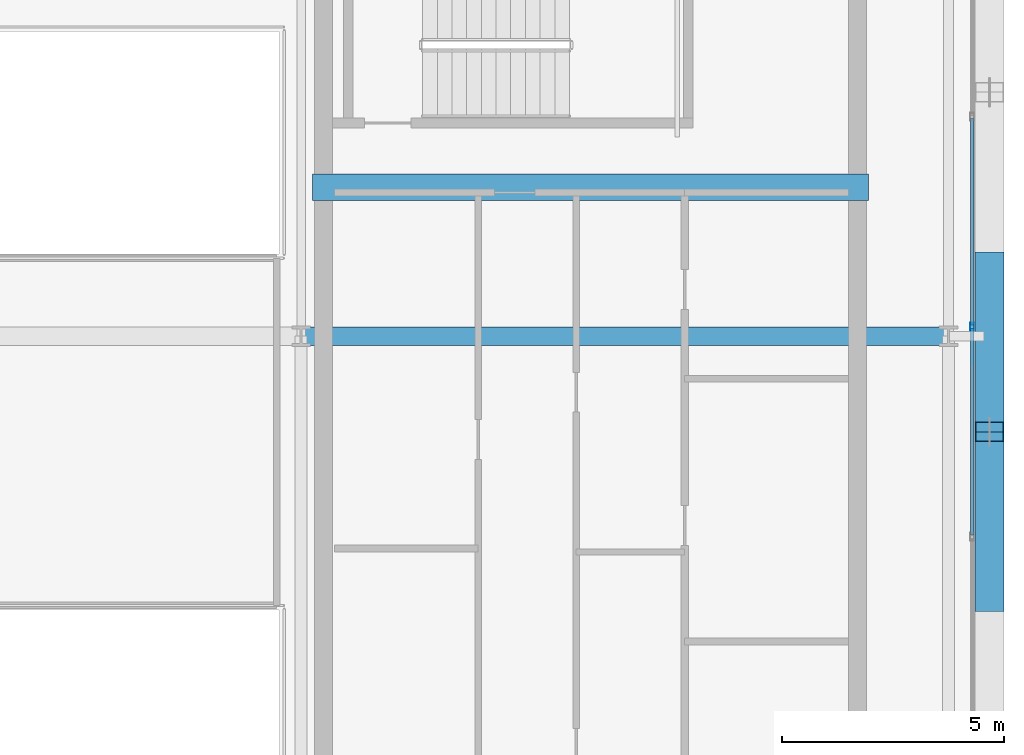
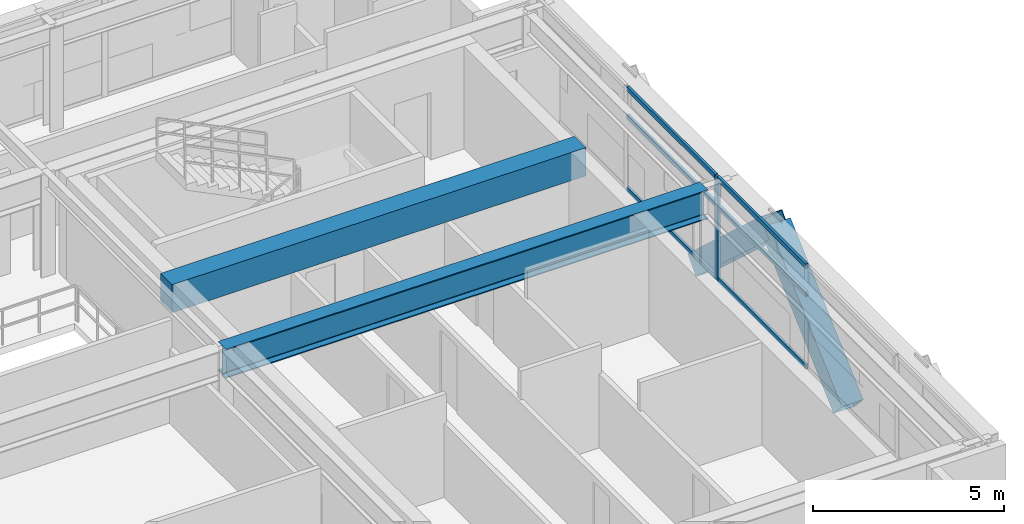
# One storey, part 12 of 28: 9 members, 2 beams, 1 element without a shape of its own.
"""IFC4 building model written with IfcOpenShell, lengths in metres."""

from ifc_helpers import new_model, si_unit, direction, frame, origin, origin_2d, place, context, subcontext, project, spatial, rectangle, hollow_rectangle, i_section, extrude, source, transform, mapped, material, layer, layer_set, material_profile, profile_set, type_object, element, aggregate, save


model = new_model("IFC4")

# Units and contexts
model_context = context("Model", 3, precision=1e-05, world=origin(), true_north=direction((0.0, 1.0)))
body_context = subcontext(model_context, "Body", "Model", "MODEL_VIEW")
ifc_project = project(units=[si_unit("LENGTHUNIT", "METRE"), si_unit("AREAUNIT", "SQUARE_METRE"), si_unit("VOLUMEUNIT", "CUBIC_METRE"), si_unit("PLANEANGLEUNIT", "RADIAN"), si_unit("MASSUNIT", "GRAM", prefix="KILO")], contexts=[model_context])

# Site, building, storey
site_placement = place(None, origin())
site = spatial("IfcSite", under=ifc_project, at=site_placement, CompositionType="ELEMENT")
building_placement = place(site_placement, origin())
building = spatial("IfcBuilding", under=site, at=building_placement, Name="Ocotamira Hotel", CompositionType="ELEMENT")
storey_placement = place(building_placement, frame((0.0, 0.0, 243.60009765625)))
storey = spatial("IfcBuildingStorey", under=building, at=storey_placement, Name="L61", CompositionType="ELEMENT", Elevation=243.60009765625)

# Beams
ifc_material_1 = material(Name="Concrete C50/60", Category="concrete")
ifc_material_profile_1 = material_profile(ifc_material_1, rectangle(XDim=0.60009765625, YDim=0.89990234375, at=origin_2d()), Name="RC600X900")
ifc_profile_set_1 = profile_set([ifc_material_profile_1], Name="Concrete C50/60")
beam_type_1 = type_object("IfcBeamType", Name="BM-LINK-RC600", PredefinedType="LINTEL", material=ifc_profile_set_1)
shared_shape_1 = source(origin(), body_context, "Body", "SweptSolid", [
    extrude(rectangle(XDim=0.60009765625, YDim=0.89990234375, at=origin_2d()), origin(), (0.0, 0.0, 1.0), 12.5),
])
beam_1_placement = place(storey_placement, frame((40.75, 31.5, 2.829833984375), z_axis=(1.0, 0.0, 0.0), x_axis=(0.0, 1.0, 0.0)))
element("IfcBeam", 1, at=beam_1_placement, inside=storey, type_object=beam_type_1, Name="L61 East Core Coupling Beam", PredefinedType="LINTEL", context=body_context, shape_type="MappedRepresentation", body=[
    mapped(shared_shape_1, transform((0.0, 0.0, 0.0), scale=1.0)),
])
ifc_material_2 = material(Name="Steel ASTM A992 Grade 50", Category="steel")
ifc_material_profile_2 = material_profile(ifc_material_2, i_section(OverallWidth=0.41796875, OverallDepth=0.927001953125, WebThickness=0.019287109375, FlangeThickness=0.031982421875, FilletRadius=0.02392578125, at=origin_2d()), Name="W36X231")
ifc_profile_set_2 = profile_set([ifc_material_profile_2], Name="Steel ASTM A992 Grade 50")
beam_type_2 = type_object("IfcBeamType", Name="BM-GIRD-W36X231", PredefinedType="BEAM", material=ifc_profile_set_2)
shared_shape_2 = source(origin(), body_context, "Body", "SweptSolid", [
    extrude(i_section(OverallWidth=0.41796875, OverallDepth=0.927001953125, WebThickness=0.019287109375, FlangeThickness=0.031982421875, FilletRadius=0.02392578125, at=origin_2d()), origin(), (0.0, 0.0, 1.0), 14.550048828125),
])
beam_2_placement = place(storey_placement, frame((40.5, 28.14990234375, 2.81640625), z_axis=(1.0, 0.0, 0.0), x_axis=(0.0, 1.0, 0.0)))
element("IfcBeam", 2, at=beam_2_placement, inside=storey, type_object=beam_type_2, Name="L61 Girder Y28.15 X40.5-55.05", PredefinedType="BEAM", context=body_context, shape_type="MappedRepresentation", body=[
    mapped(shared_shape_2, transform((0.0, 0.0, 0.0), scale=1.0)),
])

# Members
ifc_material_3 = material(Name="Pale-metal coated steel ASTM A913 Grade 65", Category="steel")
ifc_material_profile_3 = material_profile(ifc_material_3, hollow_rectangle(XDim=0.64990234375, YDim=0.64990234375, WallThickness=0.02197265625, at=origin_2d()), Name="BOX650X650X22")
ifc_profile_set_3 = profile_set([ifc_material_profile_3], Name="Pale-metal coated steel ASTM A913 Grade 65")
member_type_1 = type_object("IfcMemberType", Name="MEM-EXO-BOX650", PredefinedType="BRACE", material=ifc_profile_set_3)
shared_shape_3 = source(origin(), body_context, "Body", "SweptSolid", [
    extrude(hollow_rectangle(XDim=0.64990234375, YDim=0.64990234375, WallThickness=0.02197265625, at=origin_2d()), origin(), (0.0, 0.0, 1.0), 5.178466796875),
])
for number, where, z_axis, x_axis, name in (
    (3, (55.969970703125, 22.183349609375, -0.47021484375), (0.0, 0.737019094846, 0.675871921174), (-1.0, 0.0, 0.0), "L61 Exoskeleton Diagrid E1.1"),
    (4, (55.969970703125, 29.816650390625, -0.47021484375), (0.0, -0.737019094846, 0.675871921174), (1.0, 0.0, 0.0), "L61 Exoskeleton Diagrid E1.2"),
):
    element("IfcMember", number, at=place(storey_placement, frame(where, z_axis=z_axis, x_axis=x_axis)), inside=storey, type_object=member_type_1, Name=name, PredefinedType="BRACE", context=body_context, shape_type="MappedRepresentation", body=[
        mapped(shared_shape_3, transform((0.0, 0.0, 0.0), scale=1.0)),
    ])

# Curtain wall, members
ifc_material_4 = material(Name="Anodised pale-metal aluminium and solar glass", Category="aluminium")
ifc_layer = layer(ifc_material_4, 0.239990234375)
ifc_layer_set = layer_set([ifc_layer], Name="Anodised pale-metal aluminium and solar glass")
curtain_wall_type = type_object("IfcCurtainWallType", Name="CW-SYS5-SKY", PredefinedType="NOTDEFINED", material=ifc_layer_set)
curtain_wall_placement = place(storey_placement, origin())
curtain_wall = element("IfcCurtainWall", 5, at=curtain_wall_placement, inside=storey, type_object=curtain_wall_type, Name="L61 Curtain Wall CW-5 CW-L61-E", PredefinedType="NOTDEFINED")
ifc_material_5 = material(Name="Anodised pale-metal aluminium 6063-T6", Category="aluminium")
ifc_material_profile_4 = material_profile(ifc_material_5, hollow_rectangle(XDim=0.080078125, YDim=0.179931640625, WallThickness=0.006103515625, at=origin_2d()), Name="HSS180X80X6")
ifc_profile_set_4 = profile_set([ifc_material_profile_4], Name="Anodised pale-metal aluminium 6063-T6")
member_type_2 = type_object("IfcMemberType", Name="CWM-180X75", PredefinedType="MULLION", material=ifc_profile_set_4)
shared_shape_4 = source(origin(), body_context, "Body", "SweptSolid", [
    extrude(hollow_rectangle(XDim=0.080078125, YDim=0.179931640625, WallThickness=0.006103515625, at=origin_2d()), origin(), (0.0, 0.0, 1.0), 3.27978515625),
])
member_1_placement = place(storey_placement, frame((55.580078125, 28.360107421875, 0.0), z_axis=(0.0, 0.0, 1.0), x_axis=(-1.0, 0.0, 0.0)))
member_1 = element("IfcMember", 6, at=member_1_placement, type_object=member_type_2, Name="CW-5 mullion 4", PredefinedType="MULLION", context=body_context, shape_type="MappedRepresentation", body=[
    mapped(shared_shape_4, transform((0.0, 0.0, 0.0), scale=1.0)),
])
ifc_material_profile_5 = material_profile(ifc_material_5, hollow_rectangle(XDim=0.074951171875, YDim=0.14990234375, WallThickness=0.006103515625, at=origin_2d()), Name="HSS150X75X6")
ifc_profile_set_5 = profile_set([ifc_material_profile_5], Name="Anodised pale-metal aluminium 6063-T6")
member_type_3 = type_object("IfcMemberType", Name="CWT-150X75", PredefinedType="USERDEFINED", material=ifc_profile_set_5)
shared_shape_5 = source(origin(), body_context, "Body", "SweptSolid", [
    extrude(hollow_rectangle(XDim=0.074951171875, YDim=0.14990234375, WallThickness=0.006103515625, at=origin_2d()), origin(), (0.0, 0.0, 1.0), 4.64013671875),
])
member_2_placement = place(storey_placement, frame((55.580078125, 23.679931640625, 0.037353515625), z_axis=(0.0, 1.0, 0.0), x_axis=(-1.0, 0.0, 0.0)))
member_2 = element("IfcMember", 7, at=member_2_placement, type_object=member_type_3, Name="CW-5 transom 3.1", ObjectType="TRANSOM", PredefinedType="USERDEFINED", context=body_context, shape_type="MappedRepresentation", body=[
    mapped(shared_shape_5, transform((0.0, 0.0, 0.0), scale=1.0)),
])
member_3_placement = place(storey_placement, frame((55.580078125, 23.679931640625, 2.349853515625), z_axis=(0.0, 1.0, 0.0), x_axis=(-1.0, 0.0, 0.0)))
member_3 = element("IfcMember", 8, at=member_3_placement, type_object=member_type_3, Name="CW-5 transom 3.2", ObjectType="TRANSOM", PredefinedType="USERDEFINED", context=body_context, shape_type="MappedRepresentation", body=[
    mapped(shared_shape_5, transform((0.0, 0.0, 0.0), scale=1.0)),
])
member_4_placement = place(storey_placement, frame((55.580078125, 23.679931640625, 3.242431640625), z_axis=(0.0, 1.0, 0.0), x_axis=(-1.0, 0.0, 0.0)))
member_4 = element("IfcMember", 9, at=member_4_placement, type_object=member_type_3, Name="CW-5 transom 3.3", ObjectType="TRANSOM", PredefinedType="USERDEFINED", context=body_context, shape_type="MappedRepresentation", body=[
    mapped(shared_shape_5, transform((0.0, 0.0, 0.0), scale=1.0)),
])
member_5_placement = place(storey_placement, frame((55.580078125, 28.39990234375, 0.037353515625), z_axis=(0.0, 1.0, 0.0), x_axis=(-1.0, 0.0, 0.0)))
member_5 = element("IfcMember", 10, at=member_5_placement, type_object=member_type_3, Name="CW-5 transom 4.1", ObjectType="TRANSOM", PredefinedType="USERDEFINED", context=body_context, shape_type="MappedRepresentation", body=[
    mapped(shared_shape_5, transform((0.0, 0.0, 0.0), scale=1.0)),
])
member_6_placement = place(storey_placement, frame((55.580078125, 28.39990234375, 2.349853515625), z_axis=(0.0, 1.0, 0.0), x_axis=(-1.0, 0.0, 0.0)))
member_6 = element("IfcMember", 11, at=member_6_placement, type_object=member_type_3, Name="CW-5 transom 4.2", ObjectType="TRANSOM", PredefinedType="USERDEFINED", context=body_context, shape_type="MappedRepresentation", body=[
    mapped(shared_shape_5, transform((0.0, 0.0, 0.0), scale=1.0)),
])
member_7_placement = place(storey_placement, frame((55.580078125, 28.39990234375, 3.242431640625), z_axis=(0.0, 1.0, 0.0), x_axis=(-1.0, 0.0, 0.0)))
member_7 = element("IfcMember", 12, at=member_7_placement, type_object=member_type_3, Name="CW-5 transom 4.3", ObjectType="TRANSOM", PredefinedType="USERDEFINED", context=body_context, shape_type="MappedRepresentation", body=[
    mapped(shared_shape_5, transform((0.0, 0.0, 0.0), scale=1.0)),
])
aggregate(curtain_wall, [member_1, member_2, member_3, member_4, member_5, member_6, member_7])

save(model, "model.ifc")
